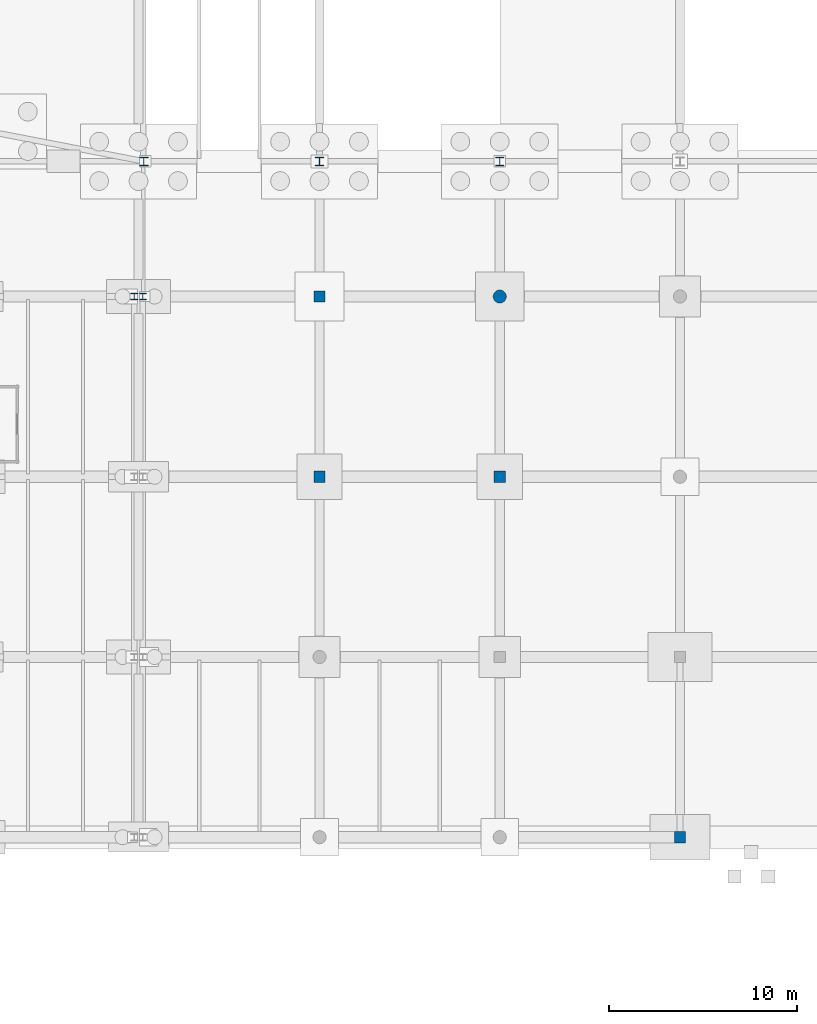
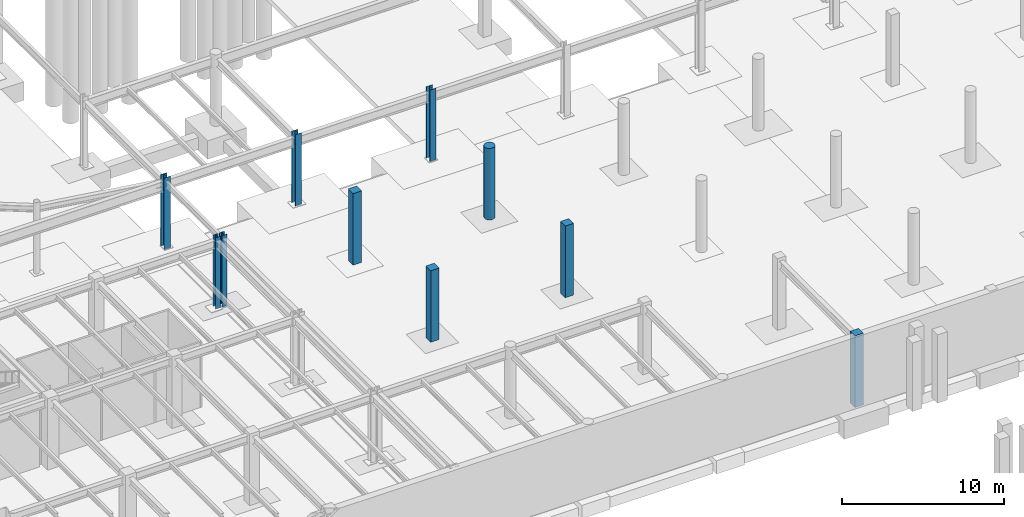
# One storey, part 13 of 50: 10 columns.
"""IFC4 building model written with IfcOpenShell, lengths in metres."""

from ifc_helpers import new_model, si_unit, direction, frame, origin, origin_2d, place, context, subcontext, project, spatial, rectangle, circle, i_section, extrude, material, material_profile, profile_set, type_object, element, save


model = new_model("IFC4")

# Units and contexts
model_context = context("Model", 3, precision=1e-05, world=origin(), true_north=direction((0.0, 1.0)))
body_context = subcontext(model_context, "Body", "Model", "MODEL_VIEW")
ifc_project = project(units=[si_unit("LENGTHUNIT", "METRE"), si_unit("AREAUNIT", "SQUARE_METRE"), si_unit("VOLUMEUNIT", "CUBIC_METRE"), si_unit("PLANEANGLEUNIT", "RADIAN"), si_unit("MASSUNIT", "GRAM", prefix="KILO")], contexts=[model_context])

# Site, building, storey
site_placement = place(None, origin())
site = spatial("IfcSite", under=ifc_project, at=site_placement, CompositionType="ELEMENT")
building_placement = place(site_placement, origin())
building = spatial("IfcBuilding", under=site, at=building_placement, Name="Yeouljin Market Hall", CompositionType="ELEMENT")
storey_placement = place(building_placement, frame((0.0, 0.0, -5.39990234375)))
storey = spatial("IfcBuildingStorey", under=building, at=storey_placement, Name="B1", CompositionType="ELEMENT", Elevation=-5.39990234375)

# Columns
ifc_material_1 = material(Name="Steel SM355", Category="steel")
ifc_material_profile_1 = material_profile(ifc_material_1, i_section(OverallWidth=0.35009765625, OverallDepth=0.35009765625, WebThickness=0.011962890625, FlangeThickness=0.01904296875, FilletRadius=0.02001953125, at=origin_2d()), Name="H-350x350x12x19")
ifc_profile_set_1 = profile_set([ifc_material_profile_1], Name="Steel SM355")
column_type_1 = type_object("IfcColumnType", Name="Col_H-350x350x12x19", PredefinedType="COLUMN", material=ifc_profile_set_1)
for number, where, z_axis, x_axis, name in (
    (1, (35.1298828125, 28.800048828125, 0.0), (0.0, 0.0, 1.0), (1.0, 0.0, 0.0), "Column G-04-03 (B1)"),
    (2, (35.590087890625, 28.800048828125, 0.0), (0.0, 0.0, 1.0), (1.0, 0.0, 0.0), "Column G-05-03 (B1)"),
):
    element("IfcColumn", number, at=place(storey_placement, frame(where, z_axis=z_axis, x_axis=x_axis)), inside=storey, type_object=column_type_1, Name=name, PredefinedType="COLUMN", context=body_context, shape_type="SweptSolid", body=[
        extrude(i_section(OverallWidth=0.35009765625, OverallDepth=0.35009765625, WebThickness=0.011962890625, FlangeThickness=0.01904296875, FilletRadius=0.02001953125, at=origin_2d()), origin(), (0.0, 0.0, 1.0), 5.39990234375),
    ])
ifc_material_2 = material(Name="Steel SM355", Category="steel")
ifc_material_profile_2 = material_profile(ifc_material_2, i_section(OverallWidth=0.449951171875, OverallDepth=0.449951171875, WebThickness=0.013916015625, FlangeThickness=0.02392578125, FilletRadius=0.02392578125, at=origin_2d()), Name="H-450x450x14x24")
ifc_profile_set_2 = profile_set([ifc_material_profile_2], Name="Steel SM355")
column_type_2 = type_object("IfcColumnType", Name="Col_H-450x450x14x24", PredefinedType="COLUMN", material=ifc_profile_set_2)
for number, where, z_axis, x_axis, name in (
    (3, (35.639892578125, 36.0, 0.0), (0.0, 0.0, 1.0), (1.0, 0.0, 0.0), "Column G-05-04 (B1)"),
    (4, (45.0, 36.0, 0.0), (0.0, 0.0, 1.0), (1.0, 0.0, 0.0), "Column G-06-04 (B1)"),
    (5, (54.60009765625, 36.0, 0.0), (0.0, 0.0, 1.0), (1.0, 0.0, 0.0), "Column G-07-04 (B1)"),
):
    element("IfcColumn", number, at=place(storey_placement, frame(where, z_axis=z_axis, x_axis=x_axis)), inside=storey, type_object=column_type_2, Name=name, PredefinedType="COLUMN", context=body_context, shape_type="SweptSolid", body=[
        extrude(i_section(OverallWidth=0.449951171875, OverallDepth=0.449951171875, WebThickness=0.013916015625, FlangeThickness=0.02392578125, FilletRadius=0.02392578125, at=origin_2d()), origin(), (0.0, 0.0, 1.0), 5.39990234375),
    ])
ifc_material_3 = material(Name="Concrete C35/45", Category="concrete")
ifc_material_profile_3 = material_profile(ifc_material_3, rectangle(XDim=0.60009765625, YDim=0.60009765625, at=origin_2d()), Name="RC-600x600")
ifc_profile_set_3 = profile_set([ifc_material_profile_3], Name="Concrete C35/45")
column_type_3 = type_object("IfcColumnType", Name="Col_RC-600x600", PredefinedType="COLUMN", material=ifc_profile_set_3)
for number, where, z_axis, x_axis, name in (
    (6, (45.0, 19.199951171875, 0.0), (0.0, 0.0, 1.0), (1.0, 0.0, 0.0), "Column G-06-02 (B1)"),
    (7, (45.0, 28.800048828125, 0.0), (0.0, 0.0, 1.0), (1.0, 0.0, 0.0), "Column G-06-03 (B1)"),
    (8, (54.60009765625, 19.199951171875, 0.0), (0.0, 0.0, 1.0), (1.0, 0.0, 0.0), "Column G-07-02 (B1)"),
    (9, (64.199951171875, 0.0, 0.0), (0.0, 0.0, 1.0), (1.0, 0.0, 0.0), "Column G-08-00 (B1)"),
):
    element("IfcColumn", number, at=place(storey_placement, frame(where, z_axis=z_axis, x_axis=x_axis)), inside=storey, type_object=column_type_3, Name=name, PredefinedType="COLUMN", context=body_context, shape_type="SweptSolid", body=[
        extrude(rectangle(XDim=0.60009765625, YDim=0.60009765625, at=origin_2d()), origin(), (0.0, 0.0, 1.0), 5.39990234375),
    ])
ifc_material_4 = material(Name="Concrete C35/45", Category="concrete")
ifc_material_profile_4 = material_profile(ifc_material_4, circle(Radius=0.35009765625, at=origin_2d()), Name="RC-D700")
ifc_profile_set_4 = profile_set([ifc_material_profile_4], Name="Concrete C35/45")
column_type_4 = type_object("IfcColumnType", Name="Col_RC-D700", PredefinedType="COLUMN", material=ifc_profile_set_4)
column_placement = place(storey_placement, frame((54.60009765625, 28.800048828125, 0.0), z_axis=(0.0, 0.0, 1.0), x_axis=(1.0, 0.0, 0.0)))
element("IfcColumn", 10, at=column_placement, inside=storey, type_object=column_type_4, Name="Column G-07-03 (B1)", PredefinedType="COLUMN", context=body_context, shape_type="SweptSolid", body=[
    extrude(circle(Radius=0.35009765625, at=origin_2d()), origin(), (0.0, 0.0, 1.0), 5.39990234375),
])

save(model, "model.ifc")
